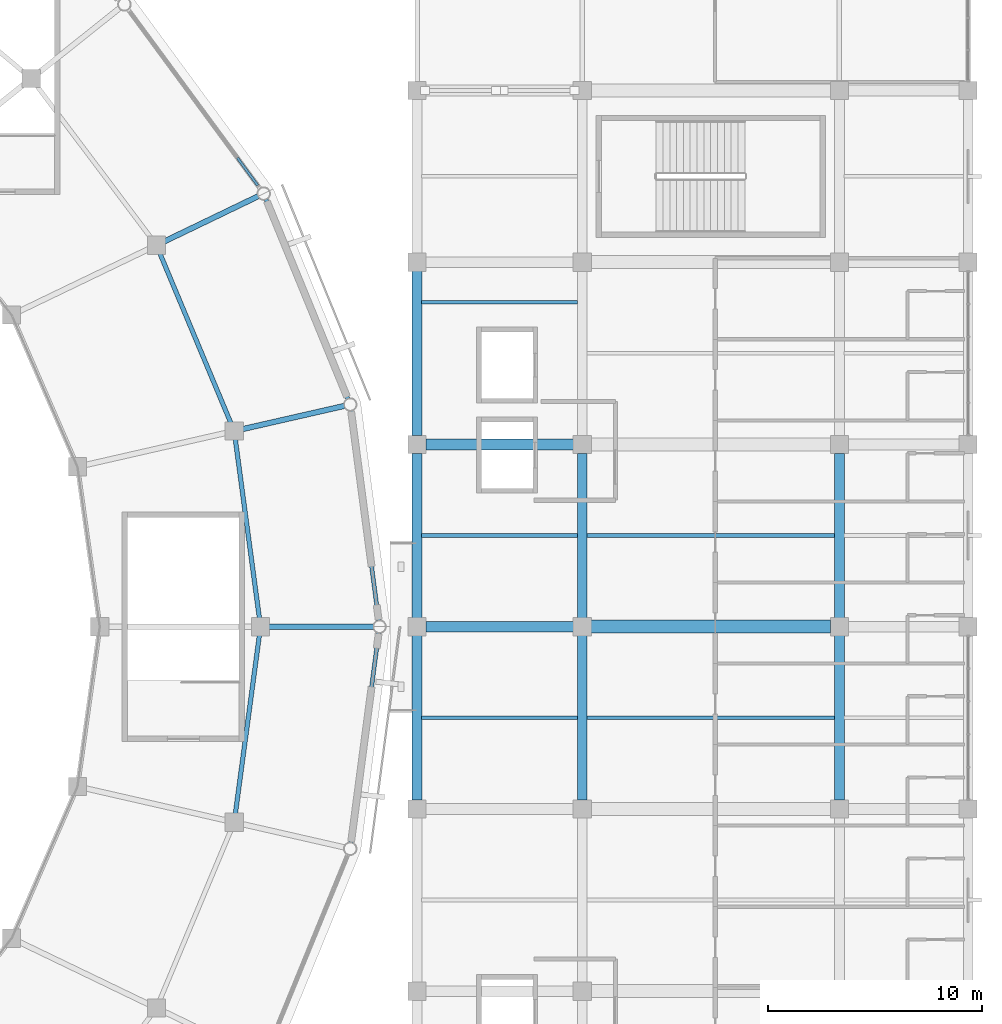
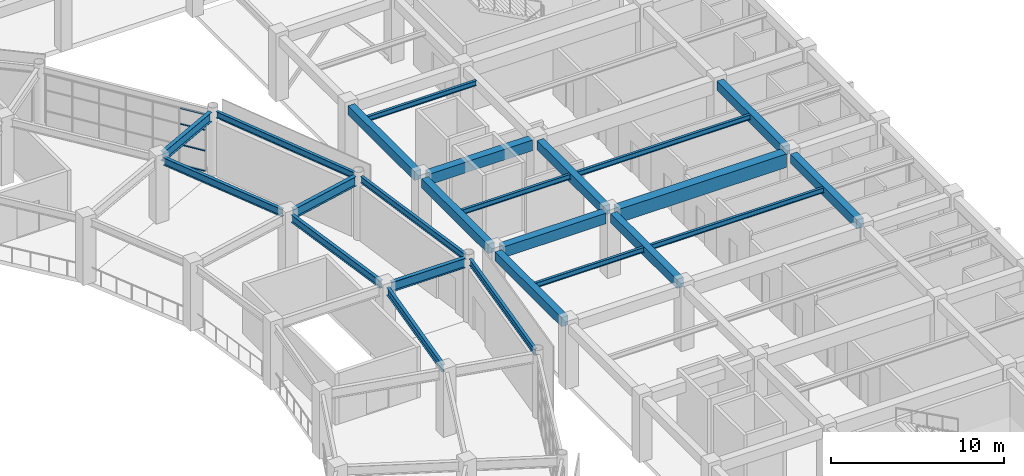
# One storey, part 56 of 112: 24 beams, 4 members, 1 element without a shape of its own.
"""IFC4 building model written with IfcOpenShell, lengths in metres."""

from ifc_helpers import new_model, si_unit, direction, frame, origin, origin_2d, place, context, subcontext, project, spatial, rectangle, i_section, extrude, material, material_profile, profile_set, type_object, element, aggregate, save


model = new_model("IFC4")

# Units and contexts
model_context = context("Model", 3, precision=1e-05, world=origin(), true_north=direction((0.0, 1.0)))
body_context = subcontext(model_context, "Body", "Model", "MODEL_VIEW")
ifc_project = project(units=[si_unit("LENGTHUNIT", "METRE"), si_unit("AREAUNIT", "SQUARE_METRE"), si_unit("VOLUMEUNIT", "CUBIC_METRE"), si_unit("PLANEANGLEUNIT", "RADIAN"), si_unit("MASSUNIT", "GRAM", prefix="KILO")], contexts=[model_context])

# Site, building, storey
site_placement = place(None, origin())
site = spatial("IfcSite", under=ifc_project, at=site_placement, CompositionType="ELEMENT")
building_placement = place(site_placement, origin())
building = spatial("IfcBuilding", under=site, at=building_placement, Name="Cuetzalor Civic Arena", CompositionType="ELEMENT")
storey_placement = place(building_placement, frame((0.0, 0.0, 11.39990234375)))
storey = spatial("IfcBuildingStorey", under=building, at=storey_placement, Name="L02", CompositionType="ELEMENT", Elevation=11.39990234375)

# Beams
ifc_material_1 = material(Name="Concrete C40/50", Category="concrete")
ifc_material_profile_1 = material_profile(ifc_material_1, rectangle(XDim=0.5, YDim=0.75, at=origin_2d()), Name="RC 500x750")
ifc_profile_set_1 = profile_set([ifc_material_profile_1], Name="Concrete C40/50")
beam_type_1 = type_object("IfcBeamType", Name="ConcreteFrameBeam_500x750", PredefinedType="BEAM", material=ifc_profile_set_1)
for number, where, z_axis, x_axis, name in (
    (1, (56.715087890625, 0.0, 4.14501953125), (1.0, 0.0, 0.0), (0.0, 1.0, 0.0), "Frame Girder V4E-L02-X0721"),
    (2, (56.715087890625, 8.5, 4.14501953125), (1.0, 0.0, 0.0), (0.0, 1.0, 0.0), "Frame Girder V4E-L02-X0724"),
):
    element("IfcBeam", number, at=place(storey_placement, frame(where, z_axis=z_axis, x_axis=x_axis)), inside=storey, type_object=beam_type_1, Name=name, PredefinedType="BEAM", context=body_context, shape_type="SweptSolid", body=[
        extrude(rectangle(XDim=0.5, YDim=0.75, at=origin_2d()), origin(), (0.0, 0.0, 1.0), 6.869873046875),
    ])
ifc_material_2 = material(Name="Concrete C40/50", Category="concrete")
ifc_material_profile_2 = material_profile(ifc_material_2, rectangle(XDim=0.60009765625, YDim=0.949951171875, at=origin_2d()), Name="RC 600x950")
ifc_profile_set_2 = profile_set([ifc_material_profile_2], Name="Concrete C40/50")
beam_type_2 = type_object("IfcBeamType", Name="ConcreteFrameBeam_600x950", PredefinedType="BEAM", material=ifc_profile_set_2)
beam_1_placement = place(storey_placement, frame((64.4150390625, 0.0, 4.045166015625), z_axis=(1.0, 0.0, 0.0), x_axis=(0.0, 1.0, 0.0)))
element("IfcBeam", 3, at=beam_1_placement, inside=storey, type_object=beam_type_2, Name="Frame Girder V4E-L02-X0722", PredefinedType="BEAM", context=body_context, shape_type="SweptSolid", body=[
    extrude(rectangle(XDim=0.60009765625, YDim=0.949951171875, at=origin_2d()), origin(), (0.0, 0.0, 1.0), 11.169921875),
])
ifc_material_3 = material(Name="Concrete C40/50", Category="concrete")
ifc_material_profile_3 = material_profile(ifc_material_3, rectangle(XDim=0.449951171875, YDim=0.64990234375, at=origin_2d()), Name="RC 450x650")
ifc_profile_set_3 = profile_set([ifc_material_profile_3], Name="Concrete C40/50")
beam_type_3 = type_object("IfcBeamType", Name="ConcreteTieBeam_450x650", PredefinedType="BEAM", material=ifc_profile_set_3)
for number, where, z_axis, x_axis, name in (
    (4, (56.300048828125, -8.0849609375, 4.195068359375), (0.0, 1.0, 0.0), (-1.0, 0.0, 0.0), "Frame Girder V4E-L02-Y0743"),
    (5, (56.300048828125, 0.4150390625, 4.195068359375), (0.0, 1.0, 0.0), (-1.0, 0.0, 0.0), "Frame Girder V4E-L02-Y0744"),
    (6, (56.300048828125, 8.9150390625, 4.195068359375), (0.0, 1.0, 0.0), (-1.0, 0.0, 0.0), "Frame Girder V4E-L02-Y0745"),
    (7, (64.0, -8.0849609375, 4.195068359375), (0.0, 1.0, 0.0), (-1.0, 0.0, 0.0), "Frame Girder V4E-L02-Y0753"),
    (8, (64.0, 0.4150390625, 4.195068359375), (0.0, 1.0, 0.0), (-1.0, 0.0, 0.0), "Frame Girder V4E-L02-Y0754"),
    (9, (76.0, -8.0849609375, 4.195068359375), (0.0, 1.0, 0.0), (-1.0, 0.0, 0.0), "Frame Girder V4E-L02-Y0763"),
    (10, (76.0, 0.4150390625, 4.195068359375), (0.0, 1.0, 0.0), (-1.0, 0.0, 0.0), "Frame Girder V4E-L02-Y0764"),
):
    element("IfcBeam", number, at=place(storey_placement, frame(where, z_axis=z_axis, x_axis=x_axis)), inside=storey, type_object=beam_type_3, Name=name, PredefinedType="BEAM", context=body_context, shape_type="SweptSolid", body=[
        extrude(rectangle(XDim=0.449951171875, YDim=0.64990234375, at=origin_2d()), origin(), (0.0, 0.0, 1.0), 7.669921875),
    ])

# Curtain wall, members
ifc_material_4 = material(Name="Anodised dark bronze aluminium and low-E solar glass", Category="aluminium")
curtain_wall_type = type_object("IfcCurtainWallType", Name="UnitisedCW_10150x4050", PredefinedType="USERDEFINED", material=ifc_material_4)
curtain_wall_placement = place(storey_placement, origin())
curtain_wall = element("IfcCurtainWall", 11, at=curtain_wall_placement, inside=storey, type_object=curtain_wall_type, Name="Drum Triangle Foyer Curtain Wall L02-033", ObjectType="UNITISED CURTAIN WALL", PredefinedType="USERDEFINED")
ifc_material_5 = material(Name="Anodised dark bronze aluminium", Category="aluminium")
ifc_material_profile_4 = material_profile(ifc_material_5, rectangle(XDim=0.1201171875, YDim=0.06494140625, at=origin_2d()), Name="ALU TRANSOM 65x120")
ifc_profile_set_4 = profile_set([ifc_material_profile_4], Name="Anodised dark bronze aluminium")
member_type = type_object("IfcMemberType", Name="CurtainWallTransom_60x120", PredefinedType="USERDEFINED", material=ifc_profile_set_4)
member_1_placement = place(storey_placement, frame((47.922607421875, 21.861328125, 0.03271484375), z_axis=(0.592963756922, -0.805229149359, 0.0), x_axis=(0.805229149359, 0.592963756922, 0.0)))
member_1 = element("IfcMember", 12, at=member_1_placement, type_object=member_type, Name="CW-12 transom 6.1", ObjectType="TRANSOM", PredefinedType="USERDEFINED", context=body_context, shape_type="SweptSolid", body=[
    extrude(rectangle(XDim=0.1201171875, YDim=0.06494140625, at=origin_2d()), origin(), (0.0, 0.0, 1.0), 1.593017578125),
])
member_2_placement = place(storey_placement, frame((47.922607421875, 21.861328125, 1.458984375), z_axis=(0.592963756922, -0.805229149359, 0.0), x_axis=(0.805229149359, 0.592963756922, 0.0)))
member_2 = element("IfcMember", 13, at=member_2_placement, type_object=member_type, Name="CW-12 transom 6.2", ObjectType="TRANSOM", PredefinedType="USERDEFINED", context=body_context, shape_type="SweptSolid", body=[
    extrude(rectangle(XDim=0.1201171875, YDim=0.06494140625, at=origin_2d()), origin(), (0.0, 0.0, 1.0), 1.593017578125),
])
member_3_placement = place(storey_placement, frame((47.922607421875, 21.861328125, 2.918212890625), z_axis=(0.592963756922, -0.805229149359, 0.0), x_axis=(0.805229149359, 0.592963756922, 0.0)))
member_3 = element("IfcMember", 14, at=member_3_placement, type_object=member_type, Name="CW-12 transom 6.3", ObjectType="TRANSOM", PredefinedType="USERDEFINED", context=body_context, shape_type="SweptSolid", body=[
    extrude(rectangle(XDim=0.1201171875, YDim=0.06494140625, at=origin_2d()), origin(), (0.0, 0.0, 1.0), 1.593017578125),
])
member_4_placement = place(storey_placement, frame((47.922607421875, 21.861328125, 4.0205078125), z_axis=(0.592963756922, -0.805229149359, 0.0), x_axis=(0.805229149359, 0.592963756922, 0.0)))
member_4 = element("IfcMember", 15, at=member_4_placement, type_object=member_type, Name="CW-12 transom 6.4", ObjectType="TRANSOM", PredefinedType="USERDEFINED", context=body_context, shape_type="SweptSolid", body=[
    extrude(rectangle(XDim=0.1201171875, YDim=0.06494140625, at=origin_2d()), origin(), (0.0, 0.0, 1.0), 1.593017578125),
])
aggregate(curtain_wall, [member_1, member_2, member_3, member_4])

# Beams
ifc_material_6 = material(Name="Steel S355", Category="steel")
ifc_material_profile_5 = material_profile(ifc_material_6, i_section(OverallWidth=0.18994140625, OverallDepth=0.45703125, WebThickness=0.009033203125, FlangeThickness=0.014404296875, at=origin_2d()), Name="W460x74")
ifc_profile_set_5 = profile_set([ifc_material_profile_5], Name="Steel S355")
beam_type_4 = type_object("IfcBeamType", Name="FacadeSpandrelBeam_W460", PredefinedType="SPANDREL", material=ifc_profile_set_5)
beam_2_placement = place(storey_placement, frame((54.511962890625, 0.28759765625, 4.29150390625), z_axis=(-0.130901206694, 0.991395417624, 0.0), x_axis=(-0.991395417624, -0.130901206694, 0.0)))
element("IfcBeam", 16, at=beam_2_placement, inside=storey, type_object=beam_type_4, Name="Drum Perimeter Spandrel L02-S01", PredefinedType="SPANDREL", context=body_context, shape_type="SweptSolid", body=[
    extrude(i_section(OverallWidth=0.18994140625, OverallDepth=0.45703125, WebThickness=0.009033203125, FlangeThickness=0.014404296875, at=origin_2d()), origin(), (0.0, 0.0, 1.0), 9.8681640625),
])
beam_3_placement = place(storey_placement, frame((53.072265625, 10.626708984375, 4.29150390625), z_axis=(-0.379398599643, 0.925233323324, 0.0), x_axis=(-0.925233323324, -0.379398599643, 0.0)))
element("IfcBeam", 17, at=beam_3_placement, inside=storey, type_object=beam_type_4, Name="Drum Perimeter Spandrel L02-S02", PredefinedType="SPANDREL", context=body_context, shape_type="SweptSolid", body=[
    extrude(i_section(OverallWidth=0.18994140625, OverallDepth=0.45703125, WebThickness=0.009033203125, FlangeThickness=0.014404296875, at=origin_2d()), origin(), (0.0, 0.0, 1.0), 10.053955078125),
])
beam_4_placement = place(storey_placement, frame((53.22021484375, -10.07080078125, 4.29150390625), z_axis=(0.130901206694, 0.991395417624, 0.0), x_axis=(-0.991395417624, 0.130901206694, 0.0)))
element("IfcBeam", 18, at=beam_4_placement, inside=storey, type_object=beam_type_4, Name="Drum Perimeter Spandrel L02-S28", PredefinedType="SPANDREL", context=body_context, shape_type="SweptSolid", body=[
    extrude(i_section(OverallWidth=0.18994140625, OverallDepth=0.45703125, WebThickness=0.009033203125, FlangeThickness=0.014404296875, at=origin_2d()), origin(), (0.0, 0.0, 1.0), 9.8681640625),
])
ifc_material_7 = material(Name="Steel S355", Category="steel")
ifc_material_profile_6 = material_profile(ifc_material_7, i_section(OverallWidth=0.1708984375, OverallDepth=0.35498046875, WebThickness=0.007080078125, FlangeThickness=0.01171875, at=origin_2d()), Name="W360x51")
ifc_profile_set_6 = profile_set([ifc_material_profile_6], Name="Steel S355")
beam_type_5 = type_object("IfcBeamType", Name="SecondaryFloorJoist_W360", PredefinedType="JOIST", material=ifc_profile_set_6)
for number, where, z_axis, x_axis, name in (
    (19, (56.51708984375, -4.25, 4.342529296875), (1.0, 0.0, 0.0), (0.0, 1.0, 0.0), "Secondary Floor Joist V4E-L02-0223"),
    (20, (56.51708984375, 4.25, 4.342529296875), (1.0, 0.0, 0.0), (0.0, 1.0, 0.0), "Secondary Floor Joist V4E-L02-0224"),
    (21, (56.51708984375, 15.1298828125, 4.342529296875), (1.0, 0.0, 0.0), (0.0, 1.0, 0.0), "Secondary Floor Joist V4E-L02-0225"),
):
    element("IfcBeam", number, at=place(storey_placement, frame(where, z_axis=z_axis, x_axis=x_axis)), inside=storey, type_object=beam_type_5, Name=name, PredefinedType="JOIST", context=body_context, shape_type="SweptSolid", body=[
        extrude(i_section(OverallWidth=0.1708984375, OverallDepth=0.35498046875, WebThickness=0.007080078125, FlangeThickness=0.01171875, at=origin_2d()), origin(), (0.0, 0.0, 1.0), 7.265869140625),
    ])
for number, where, z_axis, x_axis, name in (
    (22, (64.217041015625, -4.25, 4.342529296875), (1.0, 0.0, 0.0), (0.0, 1.0, 0.0), "Secondary Floor Joist V4E-L02-0231"),
    (23, (64.217041015625, 4.25, 4.342529296875), (1.0, 0.0, 0.0), (0.0, 1.0, 0.0), "Secondary Floor Joist V4E-L02-0232"),
):
    element("IfcBeam", number, at=place(storey_placement, frame(where, z_axis=z_axis, x_axis=x_axis)), inside=storey, type_object=beam_type_5, Name=name, PredefinedType="JOIST", context=body_context, shape_type="SweptSolid", body=[
        extrude(i_section(OverallWidth=0.1708984375, OverallDepth=0.35498046875, WebThickness=0.007080078125, FlangeThickness=0.01171875, at=origin_2d()), origin(), (0.0, 0.0, 1.0), 11.56591796875),
    ])
ifc_material_8 = material(Name="Steel S355", Category="steel")
ifc_material_profile_7 = material_profile(ifc_material_8, i_section(OverallWidth=0.208984375, OverallDepth=0.532958984375, WebThickness=0.01025390625, FlangeThickness=0.015625, at=origin_2d()), Name="W530x92")
ifc_profile_set_7 = profile_set([ifc_material_profile_7], Name="Steel S355")
beam_type_6 = type_object("IfcBeamType", Name="SteelCollarGirder_W530", PredefinedType="BEAM", material=ifc_profile_set_7)
beam_5_placement = place(storey_placement, frame((48.95068359375, 0.36669921875, 4.253662109375), z_axis=(-0.13346702922, 0.991053253923, 0.0), x_axis=(-0.991053253923, -0.13346702922, 0.0)))
element("IfcBeam", 24, at=beam_5_placement, inside=storey, type_object=beam_type_6, Name="Drum Concourse Ring Girder L02-S01", PredefinedType="BEAM", context=body_context, shape_type="SweptSolid", body=[
    extrude(i_section(OverallWidth=0.208984375, OverallDepth=0.532958984375, WebThickness=0.01025390625, FlangeThickness=0.015625, at=origin_2d()), origin(), (0.0, 0.0, 1.0), 8.465576171875),
])
beam_6_placement = place(storey_placement, frame((47.628662109375, 9.46484375, 4.253662109375), z_axis=(-0.385813116722, 0.922576955579, 0.0), x_axis=(-0.922576955579, -0.385813116722, 0.0)))
element("IfcBeam", 25, at=beam_6_placement, inside=storey, type_object=beam_type_6, Name="Drum Concourse Ring Girder L02-S02", PredefinedType="BEAM", context=body_context, shape_type="SweptSolid", body=[
    extrude(i_section(OverallWidth=0.208984375, OverallDepth=0.532958984375, WebThickness=0.01025390625, FlangeThickness=0.015625, at=origin_2d()), origin(), (0.0, 0.0, 1.0), 8.65283203125),
])
beam_7_placement = place(storey_placement, frame((47.82080078125, -8.756591796875, 4.253662109375), z_axis=(0.13346702922, 0.991053253923, 0.0), x_axis=(-0.991053253923, 0.13346702922, 0.0)))
element("IfcBeam", 26, at=beam_7_placement, inside=storey, type_object=beam_type_6, Name="Drum Concourse Ring Girder L02-S28", PredefinedType="BEAM", context=body_context, shape_type="SweptSolid", body=[
    extrude(i_section(OverallWidth=0.208984375, OverallDepth=0.532958984375, WebThickness=0.01025390625, FlangeThickness=0.015625, at=origin_2d()), origin(), (0.0, 0.0, 1.0), 8.465576171875),
])
ifc_material_9 = material(Name="Steel S355", Category="steel")
ifc_material_profile_8 = material_profile(ifc_material_9, i_section(OverallWidth=0.2529296875, OverallDepth=0.677978515625, WebThickness=0.01171875, FlangeThickness=0.016357421875, at=origin_2d()), Name="W690x125")
ifc_profile_set_8 = profile_set([ifc_material_profile_8], Name="Steel S355")
beam_type_7 = type_object("IfcBeamType", Name="SteelPrimaryGirder_W690", PredefinedType="BEAM", material=ifc_profile_set_8)
for number, where, z_axis, x_axis, name in (
    (27, (49.360107421875, 0.0, 4.18115234375), (1.0, 0.0, 0.0), (0.0, 1.0, 0.0), "Drum Radial Girder L02-R01"),
    (28, (48.12255859375, 9.20361328125, 4.18115234375), (0.974939153271, 0.222471677792, 0.0), (-0.222471677792, 0.974939153271, 0.0), "Drum Radial Girder L02-R02"),
):
    element("IfcBeam", number, at=place(storey_placement, frame(where, z_axis=z_axis, x_axis=x_axis)), inside=storey, type_object=beam_type_7, Name=name, PredefinedType="BEAM", context=body_context, shape_type="SweptSolid", body=[
        extrude(i_section(OverallWidth=0.2529296875, OverallDepth=0.677978515625, WebThickness=0.01171875, FlangeThickness=0.016357421875, at=origin_2d()), origin(), (0.0, 0.0, 1.0), 4.89990234375),
    ])
beam_8_placement = place(storey_placement, frame((44.4716796875, 17.9453125, 4.18115234375), z_axis=(0.900964883231, 0.433892013275, 0.0), x_axis=(-0.433892013275, 0.900964883231, 0.0)))
element("IfcBeam", 29, at=beam_8_placement, inside=storey, type_object=beam_type_7, Name="Drum Radial Girder L02-R03", PredefinedType="BEAM", context=body_context, shape_type="SweptSolid", body=[
    extrude(i_section(OverallWidth=0.2529296875, OverallDepth=0.677978515625, WebThickness=0.01171875, FlangeThickness=0.016357421875, at=origin_2d()), origin(), (0.0, 0.0, 1.0), 4.900390625),
])

save(model, "model.ifc")
